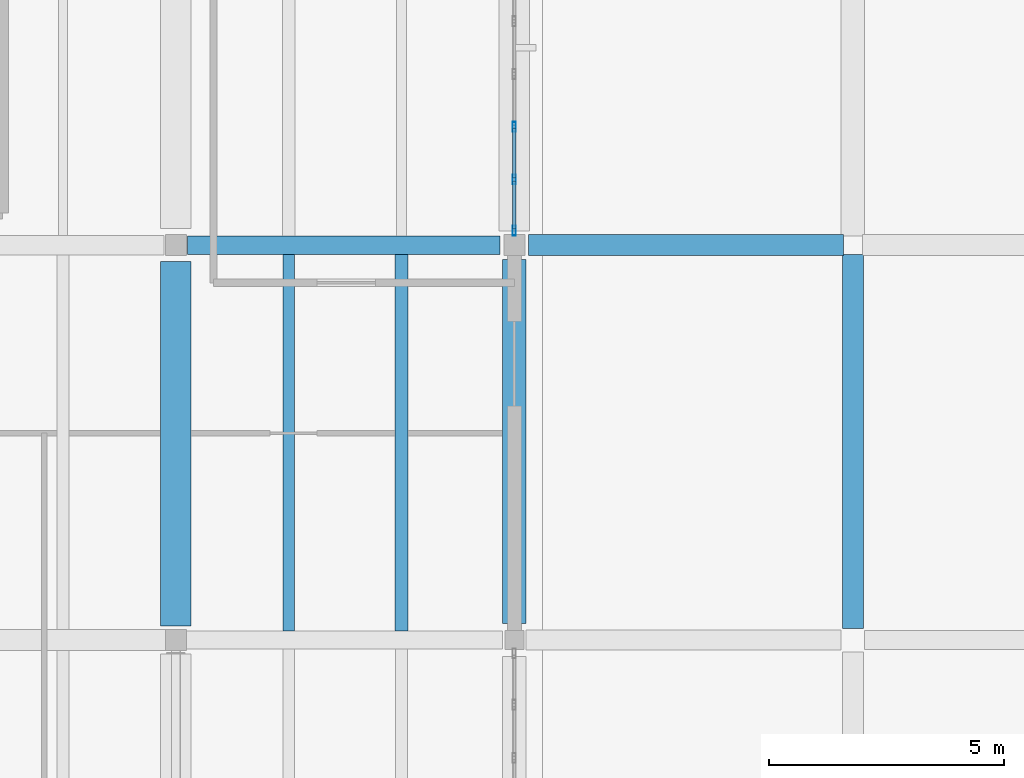
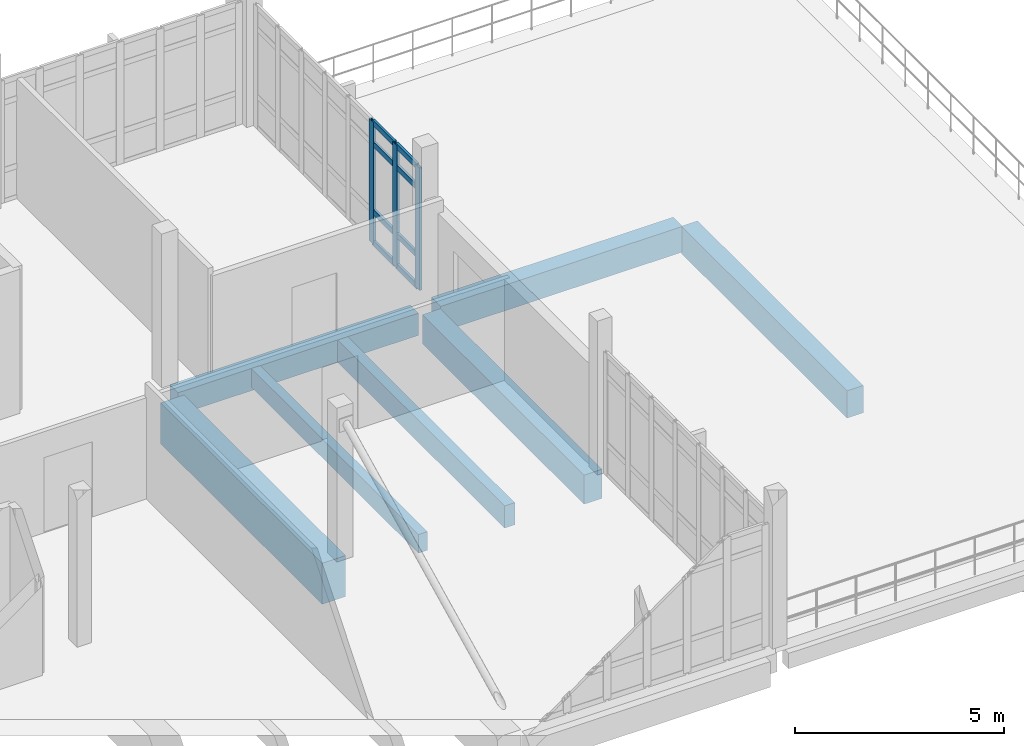
# One storey, part 18 of 34: 11 members, 7 beams, 1 element without a shape of its own.
"""IFC4 building model written with IfcOpenShell, lengths in metres."""

from ifc_helpers import new_model, si_unit, direction, frame, origin, origin_2d, place, context, subcontext, project, spatial, rectangle, hollow_rectangle, extrude, material, material_profile, profile_set, type_object, element, aggregate, save


model = new_model("IFC4")

# Units and contexts
model_context = context("Model", 3, precision=1e-05, world=origin(), true_north=direction((0.0, 1.0)))
body_context = subcontext(model_context, "Body", "Model", "MODEL_VIEW")
ifc_project = project(units=[si_unit("LENGTHUNIT", "METRE"), si_unit("AREAUNIT", "SQUARE_METRE"), si_unit("VOLUMEUNIT", "CUBIC_METRE"), si_unit("PLANEANGLEUNIT", "RADIAN"), si_unit("MASSUNIT", "GRAM", prefix="KILO")], contexts=[model_context])

# Site, building, storey
site_placement = place(None, origin())
site = spatial("IfcSite", under=ifc_project, at=site_placement, CompositionType="ELEMENT")
building_placement = place(site_placement, origin())
building = spatial("IfcBuilding", under=site, at=building_placement, Name="Kalluvel Institute of Natural Sciences", CompositionType="ELEMENT")
storey_placement = place(building_placement, frame((0.0, 0.0, 36.89990234375)))
storey = spatial("IfcBuildingStorey", under=building, at=storey_placement, Name="L08", CompositionType="ELEMENT", Elevation=36.89990234375)

# Beams
ifc_material_1 = material(Name="Concrete M40", Category="concrete")
ifc_material_profile_1 = material_profile(ifc_material_1, rectangle(XDim=0.39990234375, YDim=0.64990234375, at=origin_2d()), Name="RCB 400x650")
ifc_profile_set_1 = profile_set([ifc_material_profile_1], Name="Concrete M40")
beam_type_1 = type_object("IfcBeamType", Name="BM-RC400x650", PredefinedType="BEAM", material=ifc_profile_set_1)
beam_1_placement = place(storey_placement, frame((79.050048828125, 119.60009765625, -0.64501953125), z_axis=(1.0, 0.0, 0.0), x_axis=(0.0, 1.0, 0.0)))
element("IfcBeam", 1, at=beam_1_placement, inside=storey, type_object=beam_type_1, Name="L08 girder GIR-L08-EW-X788-Y1196", PredefinedType="BEAM", context=body_context, shape_type="SweptSolid", body=[
    extrude(rectangle(XDim=0.39990234375, YDim=0.64990234375, at=origin_2d()), origin(), (0.0, 0.0, 1.0), 6.64990234375),
])
ifc_material_profile_2 = material_profile(ifc_material_1, rectangle(XDim=0.449951171875, YDim=0.75, at=origin_2d()), Name="RCB 450x750")
ifc_profile_set_2 = profile_set([ifc_material_profile_2], Name="Concrete M40")
beam_type_2 = type_object("IfcBeamType", Name="BM-RC450x750", PredefinedType="BEAM", material=ifc_profile_set_2)
beam_2_placement = place(storey_placement, frame((86.300048828125, 119.60009765625, -0.69482421875), z_axis=(1.0, 0.0, 0.0), x_axis=(0.0, 1.0, 0.0)))
element("IfcBeam", 2, at=beam_2_placement, inside=storey, type_object=beam_type_2, Name="L08 girder GIR-L08-EW-X860-Y1196", PredefinedType="BEAM", context=body_context, shape_type="SweptSolid", body=[
    extrude(rectangle(XDim=0.449951171875, YDim=0.75, at=origin_2d()), origin(), (0.0, 0.0, 1.0), 6.699951171875),
])
ifc_material_profile_3 = material_profile(ifc_material_1, rectangle(XDim=0.449951171875, YDim=0.800048828125, at=origin_2d()), Name="RCB 450x800")
ifc_profile_set_3 = profile_set([ifc_material_profile_3], Name="Concrete M40")
beam_type_3 = type_object("IfcBeamType", Name="BM-RC450x800", PredefinedType="BEAM", material=ifc_profile_set_3)
beam_3_placement = place(storey_placement, frame((93.199951171875, 111.449951171875, -0.719970703125), z_axis=(0.0, 1.0, 0.0), x_axis=(-1.0, 0.0, 0.0)))
element("IfcBeam", 3, at=beam_3_placement, inside=storey, type_object=beam_type_3, Name="L08 girder GIR-L08-NS-X932-Y1112", PredefinedType="BEAM", context=body_context, shape_type="SweptSolid", body=[
    extrude(rectangle(XDim=0.449951171875, YDim=0.800048828125, at=origin_2d()), origin(), (0.0, 0.0, 1.0), 7.949951171875),
])
ifc_material_2 = material(Name="Concrete M50", Category="concrete")
ifc_material_profile_4 = material_profile(ifc_material_2, rectangle(XDim=0.5, YDim=0.85009765625, at=origin_2d()), Name="RCB 500x850")
ifc_profile_set_4 = profile_set([ifc_material_profile_4], Name="Concrete M50")
beam_type_4 = type_object("IfcBeamType", Name="BM-RC500x850", PredefinedType="BEAM", material=ifc_profile_set_4)
beam_4_placement = place(storey_placement, frame((86.0, 111.550048828125, -0.744873046875), z_axis=(0.0, 1.0, 0.0), x_axis=(-1.0, 0.0, 0.0)))
element("IfcBeam", 4, at=beam_4_placement, inside=storey, type_object=beam_type_4, Name="L08 girder GIR-L08-NS-X860-Y1112", PredefinedType="BEAM", context=body_context, shape_type="SweptSolid", body=[
    extrude(rectangle(XDim=0.5, YDim=0.85009765625, at=origin_2d()), origin(), (0.0, 0.0, 1.0), 7.75),
])
ifc_material_profile_5 = material_profile(ifc_material_2, rectangle(XDim=0.64990234375, YDim=1.199951171875, at=origin_2d()), Name="RCB 650x1200")
ifc_profile_set_5 = profile_set([ifc_material_profile_5], Name="Concrete M50")
beam_type_5 = type_object("IfcBeamType", Name="BM-RC650x1200", PredefinedType="BEAM", material=ifc_profile_set_5)
beam_5_placement = place(storey_placement, frame((78.800048828125, 111.5, -0.919921875), z_axis=(0.0, 1.0, 0.0), x_axis=(-1.0, 0.0, 0.0)))
element("IfcBeam", 5, at=beam_5_placement, inside=storey, type_object=beam_type_5, Name="L08 girder GIR-L08-NS-X788-Y1112", PredefinedType="BEAM", context=body_context, shape_type="SweptSolid", body=[
    extrude(rectangle(XDim=0.64990234375, YDim=1.199951171875, at=origin_2d()), origin(), (0.0, 0.0, 1.0), 7.75),
])

# Curtain wall, members
ifc_material_3 = material(Name="Aluminium AW-6063 T6", Category="aluminium")
curtain_wall_type = type_object("IfcCurtainWallType", Name="CW-WET-45", PredefinedType="USERDEFINED", material=ifc_material_3)
curtain_wall_placement = place(storey_placement, origin())
curtain_wall = element("IfcCurtainWall", 6, at=curtain_wall_placement, inside=storey, type_object=curtain_wall_type, Name="L08 Gothic lancet curtain wall CWA-L08-X860-Y1199", ObjectType="UNITISED LANCET FACADE", PredefinedType="USERDEFINED")
ifc_material_profile_6 = material_profile(ifc_material_3, hollow_rectangle(XDim=0.070068359375, YDim=0.2099609375, WallThickness=0.0048828125, at=origin_2d()), Name="CWM 70x210")
ifc_profile_set_6 = profile_set([ifc_material_profile_6], Name="Aluminium AW-6063 T6")
member_type_1 = type_object("IfcMemberType", Name="CWM-70x210", PredefinedType="MULLION", material=ifc_profile_set_6)
member_1_placement = place(storey_placement, frame((86.0, 119.909912109375, 0.0), z_axis=(0.0, 0.0, 1.0), x_axis=(-1.0, 0.0, 0.0)))
member_1 = element("IfcMember", 7, at=member_1_placement, type_object=member_type_1, Name="CW-01 mullion 1", PredefinedType="MULLION", context=body_context, shape_type="SweptSolid", body=[
    extrude(hollow_rectangle(XDim=0.070068359375, YDim=0.2099609375, WallThickness=0.0048828125, at=origin_2d()), origin(), (0.0, 0.0, 1.0), 3.580078125),
])
member_2_placement = place(storey_placement, frame((86.0, 120.996337890625, 0.0), z_axis=(0.0, 0.0, 1.0), x_axis=(-1.0, 0.0, 0.0)))
member_2 = element("IfcMember", 8, at=member_2_placement, type_object=member_type_1, Name="CW-01 mullion 2", PredefinedType="MULLION", context=body_context, shape_type="SweptSolid", body=[
    extrude(hollow_rectangle(XDim=0.070068359375, YDim=0.2099609375, WallThickness=0.0048828125, at=origin_2d()), origin(), (0.0, 0.0, 1.0), 3.580078125),
])
member_3_placement = place(storey_placement, frame((86.0, 122.117919921875, 0.0), z_axis=(0.0, 0.0, 1.0), x_axis=(-1.0, 0.0, 0.0)))
member_3 = element("IfcMember", 9, at=member_3_placement, type_object=member_type_1, Name="CW-01 mullion 3", PredefinedType="MULLION", context=body_context, shape_type="SweptSolid", body=[
    extrude(hollow_rectangle(XDim=0.070068359375, YDim=0.2099609375, WallThickness=0.0048828125, at=origin_2d()), origin(), (0.0, 0.0, 1.0), 3.580078125),
])
ifc_material_profile_7 = material_profile(ifc_material_3, hollow_rectangle(XDim=0.070068359375, YDim=0.159912109375, WallThickness=0.0048828125, at=origin_2d()), Name="CWT 70x160")
ifc_profile_set_7 = profile_set([ifc_material_profile_7], Name="Aluminium AW-6063 T6")
member_type_2 = type_object("IfcMemberType", Name="CWT-70x160", PredefinedType="USERDEFINED", material=ifc_profile_set_7)
member_4_placement = place(storey_placement, frame((86.0, 119.945068359375, 0.03515625), z_axis=(0.0, 1.0, 0.0), x_axis=(-1.0, 0.0, 0.0)))
member_4 = element("IfcMember", 10, at=member_4_placement, type_object=member_type_2, Name="CW-01 transom 1.1", ObjectType="TRANSOM", PredefinedType="USERDEFINED", context=body_context, shape_type="SweptSolid", body=[
    extrude(hollow_rectangle(XDim=0.070068359375, YDim=0.159912109375, WallThickness=0.0048828125, at=origin_2d()), origin(), (0.0, 0.0, 1.0), 1.016357421875),
])
member_5_placement = place(storey_placement, frame((86.0, 119.945068359375, 0.9501953125), z_axis=(0.0, 1.0, 0.0), x_axis=(-1.0, 0.0, 0.0)))
member_5 = element("IfcMember", 11, at=member_5_placement, type_object=member_type_2, Name="CW-01 transom 1.2", ObjectType="TRANSOM", PredefinedType="USERDEFINED", context=body_context, shape_type="SweptSolid", body=[
    extrude(hollow_rectangle(XDim=0.070068359375, YDim=0.159912109375, WallThickness=0.0048828125, at=origin_2d()), origin(), (0.0, 0.0, 1.0), 1.016357421875),
])
member_6_placement = place(storey_placement, frame((86.0, 119.945068359375, 2.93017578125), z_axis=(0.0, 1.0, 0.0), x_axis=(-1.0, 0.0, 0.0)))
member_6 = element("IfcMember", 12, at=member_6_placement, type_object=member_type_2, Name="CW-01 transom 1.3", ObjectType="TRANSOM", PredefinedType="USERDEFINED", context=body_context, shape_type="SweptSolid", body=[
    extrude(hollow_rectangle(XDim=0.070068359375, YDim=0.159912109375, WallThickness=0.0048828125, at=origin_2d()), origin(), (0.0, 0.0, 1.0), 1.016357421875),
])
member_7_placement = place(storey_placement, frame((86.0, 119.945068359375, 3.545166015625), z_axis=(0.0, 1.0, 0.0), x_axis=(-1.0, 0.0, 0.0)))
member_7 = element("IfcMember", 13, at=member_7_placement, type_object=member_type_2, Name="CW-01 transom 1.4", ObjectType="TRANSOM", PredefinedType="USERDEFINED", context=body_context, shape_type="SweptSolid", body=[
    extrude(hollow_rectangle(XDim=0.070068359375, YDim=0.159912109375, WallThickness=0.0048828125, at=origin_2d()), origin(), (0.0, 0.0, 1.0), 1.016357421875),
])
member_8_placement = place(storey_placement, frame((86.0, 121.031494140625, 0.03515625), z_axis=(0.0, 1.0, 0.0), x_axis=(-1.0, 0.0, 0.0)))
member_8 = element("IfcMember", 14, at=member_8_placement, type_object=member_type_2, Name="CW-01 transom 2.1", ObjectType="TRANSOM", PredefinedType="USERDEFINED", context=body_context, shape_type="SweptSolid", body=[
    extrude(hollow_rectangle(XDim=0.070068359375, YDim=0.159912109375, WallThickness=0.0048828125, at=origin_2d()), origin(), (0.0, 0.0, 1.0), 1.05126953125),
])
member_9_placement = place(storey_placement, frame((86.0, 121.031494140625, 0.9501953125), z_axis=(0.0, 1.0, 0.0), x_axis=(-1.0, 0.0, 0.0)))
member_9 = element("IfcMember", 15, at=member_9_placement, type_object=member_type_2, Name="CW-01 transom 2.2", ObjectType="TRANSOM", PredefinedType="USERDEFINED", context=body_context, shape_type="SweptSolid", body=[
    extrude(hollow_rectangle(XDim=0.070068359375, YDim=0.159912109375, WallThickness=0.0048828125, at=origin_2d()), origin(), (0.0, 0.0, 1.0), 1.05126953125),
])
member_10_placement = place(storey_placement, frame((86.0, 121.031494140625, 2.93017578125), z_axis=(0.0, 1.0, 0.0), x_axis=(-1.0, 0.0, 0.0)))
member_10 = element("IfcMember", 16, at=member_10_placement, type_object=member_type_2, Name="CW-01 transom 2.3", ObjectType="TRANSOM", PredefinedType="USERDEFINED", context=body_context, shape_type="SweptSolid", body=[
    extrude(hollow_rectangle(XDim=0.070068359375, YDim=0.159912109375, WallThickness=0.0048828125, at=origin_2d()), origin(), (0.0, 0.0, 1.0), 1.05126953125),
])
member_11_placement = place(storey_placement, frame((86.0, 121.031494140625, 3.545166015625), z_axis=(0.0, 1.0, 0.0), x_axis=(-1.0, 0.0, 0.0)))
member_11 = element("IfcMember", 17, at=member_11_placement, type_object=member_type_2, Name="CW-01 transom 2.4", ObjectType="TRANSOM", PredefinedType="USERDEFINED", context=body_context, shape_type="SweptSolid", body=[
    extrude(hollow_rectangle(XDim=0.070068359375, YDim=0.159912109375, WallThickness=0.0048828125, at=origin_2d()), origin(), (0.0, 0.0, 1.0), 1.05126953125),
])
aggregate(curtain_wall, [member_1, member_2, member_3, member_4, member_5, member_6, member_7, member_8, member_9, member_10, member_11])

# Beams
ifc_material_profile_8 = material_profile(ifc_material_1, rectangle(XDim=0.25, YDim=0.550048828125, at=origin_2d()), Name="WAF 250x550")
ifc_profile_set_8 = profile_set([ifc_material_profile_8], Name="Concrete M40")
beam_type_6 = type_object("IfcBeamType", Name="WJ-250x550", PredefinedType="JOIST", material=ifc_profile_set_8)
beam_6_placement = place(storey_placement, frame((81.199951171875, 111.389892578125, -0.594970703125), z_axis=(0.0, 1.0, 0.0), x_axis=(-1.0, 0.0, 0.0)))
element("IfcBeam", 18, at=beam_6_placement, inside=storey, type_object=beam_type_6, Name="L08 waffle joist RIB-L08-0622", PredefinedType="JOIST", context=body_context, shape_type="SweptSolid", body=[
    extrude(rectangle(XDim=0.25, YDim=0.550048828125, at=origin_2d()), origin(), (0.0, 0.0, 1.0), 8.010009765625),
])
ifc_material_profile_9 = material_profile(ifc_material_2, rectangle(XDim=0.280029296875, YDim=0.64990234375, at=origin_2d()), Name="WAF 280x650")
ifc_profile_set_9 = profile_set([ifc_material_profile_9], Name="Concrete M50")
beam_type_7 = type_object("IfcBeamType", Name="WJ-280x650", PredefinedType="JOIST", material=ifc_profile_set_9)
beam_7_placement = place(storey_placement, frame((83.60009765625, 111.389892578125, -0.64501953125), z_axis=(0.0, 1.0, 0.0), x_axis=(-1.0, 0.0, 0.0)))
element("IfcBeam", 19, at=beam_7_placement, inside=storey, type_object=beam_type_7, Name="L08 waffle joist RIB-L08-0623", PredefinedType="JOIST", context=body_context, shape_type="SweptSolid", body=[
    extrude(rectangle(XDim=0.280029296875, YDim=0.64990234375, at=origin_2d()), origin(), (0.0, 0.0, 1.0), 8.010009765625),
])

save(model, "model.ifc")
